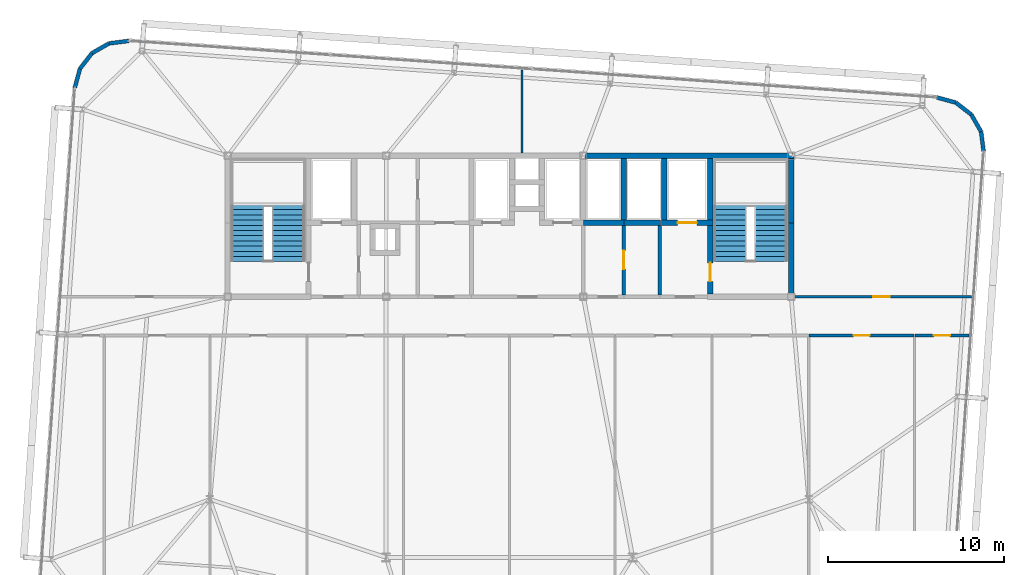
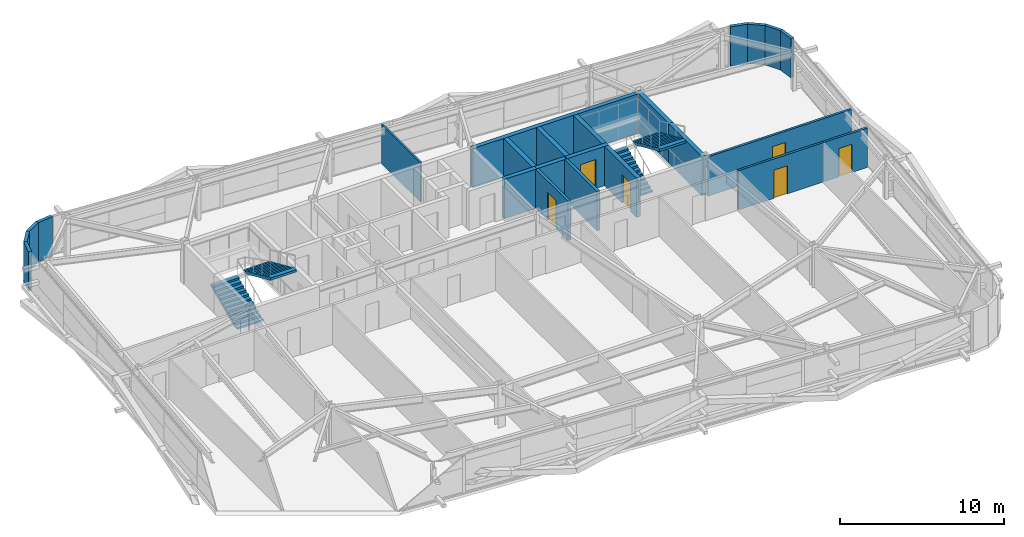
# One storey, part 37 of 39: 24 walls, 6 doors, 4 stair flights, 6 openings, 2 elements without a shape of their own.
"""IFC4 building model written with IfcOpenShell, lengths in metres."""

from ifc_helpers import new_model, si_unit, direction, frame, frame_2d, origin, place, context, subcontext, project, spatial, polyline, rectangle, outline, extrude, source, transform, mapped, material, layer, layer_set, type_object, element, fill, aggregate, save


model = new_model("IFC4")

# Units and contexts
model_context = context("Model", 3, precision=1e-05, world=origin(), true_north=direction((0.0, 1.0)))
body_context = subcontext(model_context, "Body", "Model", "MODEL_VIEW")
ifc_project = project(units=[si_unit("LENGTHUNIT", "METRE"), si_unit("AREAUNIT", "SQUARE_METRE"), si_unit("VOLUMEUNIT", "CUBIC_METRE"), si_unit("PLANEANGLEUNIT", "RADIAN"), si_unit("MASSUNIT", "GRAM", prefix="KILO")], contexts=[model_context])

# Site, building, storey
site_placement = place(None, origin())
site = spatial("IfcSite", under=ifc_project, at=site_placement, CompositionType="ELEMENT")
building_placement = place(site_placement, origin())
building = spatial("IfcBuilding", under=site, at=building_placement, Name="Taldren Reach Tower", CompositionType="ELEMENT")
storey_placement = place(building_placement, frame((0.0, 0.0, 120.39990234375)))
storey = spatial("IfcBuildingStorey", under=building, at=storey_placement, Name="L36", CompositionType="ELEMENT", Elevation=120.39990234375)

# Walls
ifc_material_1 = material(Name="Pale Champagne Anodised Aluminium Cladding", Category="aluminium")
ifc_layer_1 = layer(ifc_material_1, 0.04, Name="Pale Champagne Anodised Aluminium Cladding", Category="aluminium")
ifc_material_2 = material(Name="Mineral Wool Acoustic Insulation", Category="insulation")
ifc_layer_2 = layer(ifc_material_2, 0.06, Name="Mineral Wool Acoustic Insulation", Category="insulation")
ifc_material_3 = material(Name="Steel Gr 350 (C350L0)", Category="steel")
ifc_layer_3 = layer(ifc_material_3, 0.12, Name="Steel Gr 350 (C350L0)", Category="steel")
ifc_layer_set_1 = layer_set([ifc_layer_1, ifc_layer_2, ifc_layer_3], Name="Pale Champagne Aluminium Cladding and Steel Gr 350 Stud Framing")
wall_type_1 = type_object("IfcWallType", Name="EW-CRN-220", PredefinedType="SOLIDWALL", material=ifc_layer_set_1)
shared_shape_1 = source(origin(), body_context, "Body", "SweptSolid", [
    extrude(rectangle(XDim=1.115966796875, YDim=0.219970703125, at=frame_2d((0.55810546875, 0.0))), origin(), (0.0, 0.0, 1.0), 2.93017578125),
])
for number, where, z_axis, x_axis, name in (
    (1, (61.923583984375, 32.261962890625, 0.0), (0.0, 0.0, 1.0), (-0.126242535829, 0.991999406324, 0.0), "Rounded-corner pale-metal facade wall L36-NE1"),
    (2, (61.78271484375, 33.368896484375, 0.0), (0.0, 0.0, 1.0), (-0.496138938357, 0.868243142124, 0.0), "Rounded-corner pale-metal facade wall L36-NE2"),
    (3, (61.22900390625, 34.337890625, 0.0), (0.0, 0.0, 1.0), (-0.790716874741, 0.612182018684, 0.0), "Rounded-corner pale-metal facade wall L36-NE3"),
    (4, (60.3466796875, 35.02099609375, 0.0), (0.0, 0.0, 1.0), (-0.964804199372, 0.262969307856, 0.0), "Rounded-corner pale-metal facade wall L36-NE4"),
    (5, (13.382080078125, 38.5234375, 0.0), (0.0, 0.0, 1.0), (-0.991999406324, -0.126242535829, 0.0), "Rounded-corner pale-metal facade wall L36-NW1"),
    (6, (11.306396484375, 37.828857421875, 0.0), (0.0, 0.0, 1.0), (-0.612318787668, -0.790610967714, 0.0), "Rounded-corner pale-metal facade wall L36-NW3"),
    (7, (10.623046875, 36.946533203125, 0.0), (0.0, 0.0, 1.0), (-0.262969307856, -0.964804199372, 0.0), "Rounded-corner pale-metal facade wall L36-NW4"),
):
    element("IfcWall", number, at=place(storey_placement, frame(where, z_axis=z_axis, x_axis=x_axis)), inside=storey, type_object=wall_type_1, Name=name, PredefinedType="SOLIDWALL", context=body_context, shape_type="MappedRepresentation", body=[
        mapped(shared_shape_1, transform((0.0, 0.0, 0.0), scale=1.0)),
    ])
shared_shape_2 = source(origin(), body_context, "Body", "SweptSolid", [
    extrude(rectangle(XDim=1.11572265625, YDim=0.219970703125, at=frame_2d((0.557861328125, 0.0))), origin(), (0.0, 0.0, 1.0), 2.93017578125),
])
wall_1_placement = place(storey_placement, frame((12.275146484375, 38.382568359375, 0.0), z_axis=(0.0, 0.0, 1.0), x_axis=(-0.868189279113, -0.496233186751, 0.0)))
element("IfcWall", 8, at=wall_1_placement, inside=storey, type_object=wall_type_1, Name="Rounded-corner pale-metal facade wall L36-NW2", PredefinedType="SOLIDWALL", context=body_context, shape_type="MappedRepresentation", body=[
    mapped(shared_shape_2, transform((0.0, 0.0, 0.0), scale=1.0)),
])

# Wall, opening, door
ifc_material_4 = material(Name="Fire-Rated Acoustic Plasterboard Stud Wall", Category="gypsum")
ifc_layer_4 = layer(ifc_material_4, 0.159912109375)
ifc_layer_set_2 = layer_set([ifc_layer_4], Name="Fire-Rated Acoustic Plasterboard Stud Wall")
wall_type_2 = type_object("IfcWallType", Name="IW-FIRE-160", PredefinedType="PARTITIONING", material=ifc_layer_set_2)
shared_shape_3 = source(origin(), body_context, "Body", "SweptSolid", [
    extrude(rectangle(XDim=5.95947265625, YDim=0.159912109375, at=frame_2d((2.979736328125, 0.0))), origin(), (0.0, 0.0, 1.0), 2.93017578125),
])
wall_2_placement = place(storey_placement, frame((57.979736328125, 21.800048828125, 0.0), z_axis=(0.0, 0.0, 1.0), x_axis=(-1.0, 0.0, 0.0)))
wall_2 = element("IfcWall", 9, at=wall_2_placement, inside=storey, type_object=wall_type_2, Name="Interior Partition Wall W-INT-L36-054", PredefinedType="PARTITIONING", context=body_context, shape_type="MappedRepresentation", body=[
    mapped(shared_shape_3, transform((0.0, 0.0, 0.0), scale=1.0)),
])
shared_shape_4 = source(origin(), body_context, "Body", "SweptSolid", [
    extrude(rectangle(XDim=0.919921875, YDim=2.10009765625, at=frame_2d((0.4599609375, 1.050048828125))), frame((0.0, 0.08984375, 0.0), z_axis=(0.0, -1.0, 0.0), x_axis=(1.0, 0.0, 0.0)), (0.0, 0.0, 1.0), 0.179931640625),
])
opening_1_placement = place(wall_2_placement, frame((2.519775390625, 0.0, 0.0)))
opening_1 = element("IfcOpeningElement", 10, at=opening_1_placement, cuts=wall_2, Name="Opening DI-092", PredefinedType="OPENING", context=body_context, shape_type="MappedRepresentation", body=[
    mapped(shared_shape_4, transform((0.0, 0.0, 0.0), scale=1.0)),
])
ifc_material_5 = material(Name="Solid-Core Timber Suite Door", Category="wood")
door_type_1 = type_object("IfcDoorType", Name="ID-INT-092", OperationType="NOTDEFINED", PredefinedType="DOOR", material=ifc_material_5)
shared_shape_5 = source(origin(), body_context, "Body", "SweptSolid", [
    extrude(rectangle(XDim=0.919921875, YDim=2.10009765625, at=frame_2d((0.4599609375, 1.050048828125))), frame((0.0, 0.02490234375, 0.0), z_axis=(0.0, -1.0, 0.0), x_axis=(1.0, 0.0, 0.0)), (0.0, 0.0, 1.0), 0.050048828125),
])
door_1_placement = place(opening_1_placement, origin())
door_1 = element("IfcDoor", 11, at=door_1_placement, inside=storey, type_object=door_type_1, Name="Interior Door DR-L36-019", OperationType="SINGLE_SWING_RIGHT", OverallHeight=2.10009765625, OverallWidth=0.919921875, PredefinedType="DOOR", context=body_context, shape_type="MappedRepresentation", body=[
    mapped(shared_shape_5, transform((0.0, 0.0, 0.0), scale=1.0)),
])
fill(opening_1, door_1)

# Walls
ifc_material_6 = material(Name="Concrete S65 (65 MPa)", Category="concrete")
ifc_layer_5 = layer(ifc_material_6, 0.300048828125)
ifc_layer_set_3 = layer_set([ifc_layer_5], Name="Concrete S65 (65 MPa)")
wall_type_3 = type_object("IfcWallType", Name="IW-CORE-300", PredefinedType="SHEAR", material=ifc_layer_set_3)
shared_shape_6 = source(origin(), body_context, "Body", "SweptSolid", [
    extrude(rectangle(XDim=11.949951171875, YDim=0.300048828125, at=frame_2d((5.97509765625, 0.0))), origin(), (0.0, 0.0, 1.0), 2.93017578125),
])
wall_3_placement = place(storey_placement, frame((39.199951171875, 32.0, 0.0), z_axis=(0.0, 0.0, 1.0), x_axis=(1.0, 0.0, 0.0)))
element("IfcWall", 12, at=wall_3_placement, inside=storey, type_object=wall_type_3, Name="Rear Core Shear Wall W-CORE-L36-NORTH3", PredefinedType="SHEAR", context=body_context, shape_type="MappedRepresentation", body=[
    mapped(shared_shape_6, transform((0.0, 0.0, 0.0), scale=1.0)),
])
shared_shape_7 = source(origin(), body_context, "Body", "SweptSolid", [
    extrude(rectangle(XDim=4.050048828125, YDim=0.300048828125, at=frame_2d((2.02490234375, 0.0))), origin(), (0.0, 0.0, 1.0), 2.93017578125),
])
wall_4_placement = place(storey_placement, frame((51.0, 24.14990234375, 0.0), z_axis=(0.0, 0.0, 1.0), x_axis=(0.0, 1.0, 0.0)))
element("IfcWall", 13, at=wall_4_placement, inside=storey, type_object=wall_type_3, Name="Rear Core Shear Wall W-CORE-L36-EAST1", PredefinedType="SHEAR", context=body_context, shape_type="MappedRepresentation", body=[
    mapped(shared_shape_7, transform((0.0, 0.0, 0.0), scale=1.0)),
])
shared_shape_8 = source(origin(), body_context, "Body", "SweptSolid", [
    extrude(rectangle(XDim=3.650146484375, YDim=0.300048828125, at=frame_2d((1.8251953125, 0.0))), origin(), (0.0, 0.0, 1.0), 2.93017578125),
])
wall_5_placement = place(storey_placement, frame((51.0, 28.199951171875, 0.0), z_axis=(0.0, 0.0, 1.0), x_axis=(0.0, 1.0, 0.0)))
element("IfcWall", 14, at=wall_5_placement, inside=storey, type_object=wall_type_3, Name="Rear Core Shear Wall W-CORE-L36-EAST2", PredefinedType="SHEAR", context=body_context, shape_type="MappedRepresentation", body=[
    mapped(shared_shape_8, transform((0.0, 0.0, 0.0), scale=1.0)),
])
shared_shape_9 = source(origin(), body_context, "Body", "SweptSolid", [
    extrude(rectangle(XDim=3.5, YDim=0.300048828125, at=frame_2d((1.75, 0.0))), origin(), (0.0, 0.0, 1.0), 2.93017578125),
])
for number, where, z_axis, x_axis, name in (
    (15, (46.39990234375, 31.85009765625, 0.0), (0.0, 0.0, 1.0), (0.0, -1.0, 0.0), "Rear Core Shear Wall W-INT-L36-008"),
    (16, (43.800048828125, 31.85009765625, 0.0), (0.0, 0.0, 1.0), (0.0, -1.0, 0.0), "Rear Core Shear Wall W-INT-L36-012"),
    (17, (41.5, 28.35009765625, 0.0), (0.0, 0.0, 1.0), (0.0, 1.0, 0.0), "Rear Core Shear Wall W-INT-L36-034"),
):
    element("IfcWall", number, at=place(storey_placement, frame(where, z_axis=z_axis, x_axis=x_axis)), inside=storey, type_object=wall_type_3, Name=name, PredefinedType="SHEAR", context=body_context, shape_type="MappedRepresentation", body=[
        mapped(shared_shape_9, transform((0.0, 0.0, 0.0), scale=1.0)),
    ])

# Wall, opening, door
shared_shape_10 = source(origin(), body_context, "Body", "SweptSolid", [
    extrude(rectangle(XDim=3.900146484375, YDim=0.300048828125, at=frame_2d((1.9501953125, 0.0))), origin(), (0.0, 0.0, 1.0), 2.93017578125),
])
wall_6_placement = place(storey_placement, frame((46.39990234375, 28.050048828125, 0.0), z_axis=(0.0, 0.0, 1.0), x_axis=(0.0, -1.0, 0.0)))
wall_6 = element("IfcWall", 18, at=wall_6_placement, inside=storey, type_object=wall_type_3, Name="Rear Core Shear Wall W-INT-L36-009", PredefinedType="SHEAR", context=body_context, shape_type="MappedRepresentation", body=[
    mapped(shared_shape_10, transform((0.0, 0.0, 0.0), scale=1.0)),
])
shared_shape_11 = source(origin(), body_context, "Body", "SweptSolid", [
    extrude(rectangle(XDim=1.050048828125, YDim=2.10009765625, at=frame_2d((0.52490234375, 1.050048828125))), frame((0.0, 0.16015625, 0.0), z_axis=(0.0, -1.0, 0.0), x_axis=(1.0, 0.0, 0.0)), (0.0, 0.0, 1.0), 0.320068359375),
])
opening_2_placement = place(wall_6_placement, frame((2.125, 0.0, 0.0)))
opening_2 = element("IfcOpeningElement", 19, at=opening_2_placement, cuts=wall_6, Name="Opening DF-105", PredefinedType="OPENING", context=body_context, shape_type="MappedRepresentation", body=[
    mapped(shared_shape_11, transform((0.0, 0.0, 0.0), scale=1.0)),
])
ifc_material_7 = material(Name="Fire-Rated Care and Stair Exit Door")
door_type_2 = type_object("IfcDoorType", Name="ID-FIRE-105", OperationType="NOTDEFINED", PredefinedType="DOOR", material=ifc_material_7)
shared_shape_12 = source(origin(), body_context, "Body", "SweptSolid", [
    extrude(rectangle(XDim=1.050048828125, YDim=2.10009765625, at=frame_2d((0.52490234375, 1.050048828125))), frame((0.0, 0.02490234375, 0.0), z_axis=(0.0, -1.0, 0.0), x_axis=(1.0, 0.0, 0.0)), (0.0, 0.0, 1.0), 0.050048828125),
])
door_2_placement = place(opening_2_placement, origin())
door_2 = element("IfcDoor", 20, at=door_2_placement, inside=storey, type_object=door_type_2, Name="Fire Exit Stair Door DR-L36-003", OperationType="SINGLE_SWING_RIGHT", OverallHeight=2.10009765625, OverallWidth=1.050048828125, PredefinedType="DOOR", context=body_context, shape_type="MappedRepresentation", body=[
    mapped(shared_shape_12, transform((0.0, 0.0, 0.0), scale=1.0)),
])
fill(opening_2, door_2)

shared_shape_13 = source(origin(), body_context, "Body", "SweptSolid", [
    extrude(rectangle(XDim=2.900146484375, YDim=0.300048828125, at=frame_2d((1.4501953125, 0.0))), origin(), (0.0, 0.0, 1.0), 2.93017578125),
])
wall_7_placement = place(storey_placement, frame((43.64990234375, 28.199951171875, 0.0), z_axis=(0.0, 0.0, 1.0), x_axis=(1.0, 0.0, 0.0)))
wall_7 = element("IfcWall", 21, at=wall_7_placement, inside=storey, type_object=wall_type_3, Name="Rear Core Shear Wall W-INT-L36-011", PredefinedType="SHEAR", context=body_context, shape_type="MappedRepresentation", body=[
    mapped(shared_shape_13, transform((0.0, 0.0, 0.0), scale=1.0)),
])
shared_shape_14 = source(origin(), body_context, "Body", "SweptSolid", [
    extrude(rectangle(XDim=1.10009765625, YDim=2.14990234375, at=frame_2d((0.550048828125, 1.074951171875))), frame((0.0, 0.16015625, 0.0), z_axis=(0.0, -1.0, 0.0), x_axis=(1.0, 0.0, 0.0)), (0.0, 0.0, 1.0), 0.320068359375),
])
opening_3_placement = place(wall_7_placement, frame((0.89990234375, 0.0, 0.0)))
opening_3 = element("IfcOpeningElement", 22, at=opening_3_placement, cuts=wall_7, Name="Opening LD-FL2", PredefinedType="OPENING", context=body_context, shape_type="MappedRepresentation", body=[
    mapped(shared_shape_14, transform((0.0, 0.0, 0.0), scale=1.0)),
])
ifc_material_8 = material(Name="Stainless Steel Gr 316 Emergency Lift Landing Door", Category="steel")
door_type_3 = type_object("IfcDoorType", Name="LD-EMG-110", OperationType="SLIDING_TO_LEFT", PredefinedType="DOOR", material=ifc_material_8)
shared_shape_15 = source(origin(), body_context, "Body", "SweptSolid", [
    extrude(rectangle(XDim=1.10009765625, YDim=2.14990234375, at=frame_2d((0.550048828125, 1.074951171875))), frame((0.0, 0.02490234375, 0.0), z_axis=(0.0, -1.0, 0.0), x_axis=(1.0, 0.0, 0.0)), (0.0, 0.0, 1.0), 0.050048828125),
])
door_3_placement = place(opening_3_placement, origin())
door_3 = element("IfcDoor", 23, at=door_3_placement, inside=storey, type_object=door_type_3, Name="Lift Landing Door LD-FL2-L36", OperationType="SLIDING_TO_LEFT", OverallHeight=2.14990234375, OverallWidth=1.10009765625, PredefinedType="DOOR", context=body_context, shape_type="MappedRepresentation", body=[
    mapped(shared_shape_15, transform((0.0, 0.0, 0.0), scale=1.0)),
])
fill(opening_3, door_3)

# Wall
ifc_material_9 = material(Name="Concrete S50 (50 MPa)", Category="concrete")
ifc_layer_6 = layer(ifc_material_9, 0.199951171875)
ifc_layer_set_4 = layer_set([ifc_layer_6], Name="Concrete S50 (50 MPa)")
wall_type_4 = type_object("IfcWallType", Name="IW-CORE-200", PredefinedType="SOLIDWALL", material=ifc_layer_set_4)
shared_shape_16 = source(origin(), body_context, "Body", "SweptSolid", [
    extrude(rectangle(XDim=3.949951171875, YDim=0.199951171875, at=frame_2d((1.97509765625, 0.0))), origin(), (0.0, 0.0, 1.0), 2.93017578125),
])
wall_8_placement = place(storey_placement, frame((43.550048828125, 28.050048828125, 0.0), z_axis=(0.0, 0.0, 1.0), x_axis=(0.0, -1.0, 0.0)))
element("IfcWall", 24, at=wall_8_placement, inside=storey, type_object=wall_type_4, Name="Rear Core Shear Wall W-INT-L36-013", PredefinedType="SOLIDWALL", context=body_context, shape_type="MappedRepresentation", body=[
    mapped(shared_shape_16, transform((0.0, 0.0, 0.0), scale=1.0)),
])

# Wall, opening, door
wall_9_placement = place(storey_placement, frame((41.5, 28.050048828125, 0.0), z_axis=(0.0, 0.0, 1.0), x_axis=(0.0, -1.0, 0.0)))
wall_9 = element("IfcWall", 25, at=wall_9_placement, inside=storey, type_object=wall_type_4, Name="Rear Core Shear Wall W-INT-L36-043", PredefinedType="SOLIDWALL", context=body_context, shape_type="MappedRepresentation", body=[
    mapped(shared_shape_16, transform((0.0, 0.0, 0.0), scale=1.0)),
])
shared_shape_17 = source(origin(), body_context, "Body", "SweptSolid", [
    extrude(rectangle(XDim=1.050048828125, YDim=2.10009765625, at=frame_2d((0.52490234375, 1.050048828125))), frame((0.0, 0.10986328125, 0.0), z_axis=(0.0, -1.0, 0.0), x_axis=(1.0, 0.0, 0.0)), (0.0, 0.0, 1.0), 0.219970703125),
])
opening_4_placement = place(wall_9_placement, frame((1.425048828125, 0.0, 0.0)))
opening_4 = element("IfcOpeningElement", 26, at=opening_4_placement, cuts=wall_9, Name="Opening DF-105", PredefinedType="OPENING", context=body_context, shape_type="MappedRepresentation", body=[
    mapped(shared_shape_17, transform((0.0, 0.0, 0.0), scale=1.0)),
])
door_4_placement = place(opening_4_placement, frame((1.050048828125, 0.0, 0.0), z_axis=(0.0, 0.0, 1.0), x_axis=(-1.0, 0.0, 0.0)))
door_4 = element("IfcDoor", 27, at=door_4_placement, inside=storey, type_object=door_type_2, Name="Interior Door DR-L36-009", OperationType="SINGLE_SWING_LEFT", OverallHeight=2.10009765625, OverallWidth=1.050048828125, PredefinedType="DOOR", context=body_context, shape_type="MappedRepresentation", body=[
    mapped(shared_shape_12, transform((0.0, 0.0, 0.0), scale=1.0)),
])
fill(opening_4, door_4)

# Walls
shared_shape_18 = source(origin(), body_context, "Body", "SweptSolid", [
    extrude(rectangle(XDim=2.070068359375, YDim=0.300048828125, at=frame_2d((1.03515625, 0.0))), origin(), (0.0, 0.0, 1.0), 2.93017578125),
])
wall_10_placement = place(storey_placement, frame((41.5, 28.199951171875, 0.0), z_axis=(0.0, 0.0, 1.0), x_axis=(1.0, 0.0, 0.0)))
element("IfcWall", 28, at=wall_10_placement, inside=storey, type_object=wall_type_3, Name="Rear Core Shear Wall W-INT-L36-036", PredefinedType="SHEAR", context=body_context, shape_type="MappedRepresentation", body=[
    mapped(shared_shape_18, transform((0.0, 0.0, 0.0), scale=1.0)),
])
shared_shape_19 = source(origin(), body_context, "Body", "SweptSolid", [
    extrude(rectangle(XDim=2.300048828125, YDim=0.300048828125, at=frame_2d((1.14990234375, 0.0))), origin(), (0.0, 0.0, 1.0), 2.93017578125),
])
wall_11_placement = place(storey_placement, frame((39.199951171875, 28.199951171875, 0.0), z_axis=(0.0, 0.0, 1.0), x_axis=(1.0, 0.0, 0.0)))
element("IfcWall", 29, at=wall_11_placement, inside=storey, type_object=wall_type_3, Name="Rear Core Shear Wall W-INT-L36-035", PredefinedType="SHEAR", context=body_context, shape_type="MappedRepresentation", body=[
    mapped(shared_shape_19, transform((0.0, 0.0, 0.0), scale=1.0)),
])

# Wall, opening, door
shared_shape_20 = source(origin(), body_context, "Body", "SweptSolid", [
    extrude(rectangle(XDim=3.087158203125, YDim=0.159912109375, at=frame_2d((1.54345703125, 0.0))), origin(), (0.0, 0.0, 1.0), 2.93017578125),
])
wall_12_placement = place(storey_placement, frame((61.107421875, 21.800048828125, 0.0), z_axis=(0.0, 0.0, 1.0), x_axis=(-1.0, 0.0, 0.0)))
wall_12 = element("IfcWall", 30, at=wall_12_placement, inside=storey, type_object=wall_type_2, Name="Interior Partition Wall W-INT-L36-055", PredefinedType="PARTITIONING", context=body_context, shape_type="MappedRepresentation", body=[
    mapped(shared_shape_20, transform((0.0, 0.0, 0.0), scale=1.0)),
])
opening_5_placement = place(wall_12_placement, frame((1.08349609375, 0.0, 0.0)))
opening_5 = element("IfcOpeningElement", 31, at=opening_5_placement, cuts=wall_12, Name="Opening DI-092", PredefinedType="OPENING", context=body_context, shape_type="MappedRepresentation", body=[
    mapped(shared_shape_4, transform((0.0, 0.0, 0.0), scale=1.0)),
])
door_5_placement = place(opening_5_placement, origin())
door_5 = element("IfcDoor", 32, at=door_5_placement, inside=storey, type_object=door_type_1, Name="Interior Door DR-L36-020", OperationType="SINGLE_SWING_LEFT", OverallHeight=2.10009765625, OverallWidth=0.919921875, PredefinedType="DOOR", context=body_context, shape_type="MappedRepresentation", body=[
    mapped(shared_shape_5, transform((0.0, 0.0, 0.0), scale=1.0)),
])
fill(opening_5, door_5)

shared_shape_21 = source(origin(), body_context, "Body", "SweptSolid", [
    extrude(rectangle(XDim=10.10009765625, YDim=0.159912109375, at=frame_2d((5.050048828125, 0.0))), origin(), (0.0, 0.0, 1.0), 2.93017578125),
])
wall_13_placement = place(storey_placement, frame((51.14990234375, 24.0, 0.0), z_axis=(0.0, 0.0, 1.0), x_axis=(1.0, 0.0, 0.0)))
wall_13 = element("IfcWall", 33, at=wall_13_placement, inside=storey, type_object=wall_type_2, Name="Interior Partition Wall W-INT-L36-057", PredefinedType="PARTITIONING", context=body_context, shape_type="MappedRepresentation", body=[
    mapped(shared_shape_21, transform((0.0, 0.0, 0.0), scale=1.0)),
])
opening_6_placement = place(wall_13_placement, frame((4.525146484375, 0.0, 0.0)))
opening_6 = element("IfcOpeningElement", 34, at=opening_6_placement, cuts=wall_13, Name="Opening DI-092", PredefinedType="OPENING", context=body_context, shape_type="MappedRepresentation", body=[
    mapped(shared_shape_4, transform((0.0, 0.0, 0.0), scale=1.0)),
])
door_6_placement = place(opening_6_placement, origin())
door_6 = element("IfcDoor", 35, at=door_6_placement, inside=storey, type_object=door_type_1, Name="Interior Door DR-L36-022", OperationType="SINGLE_SWING_LEFT", OverallHeight=2.10009765625, OverallWidth=0.919921875, PredefinedType="DOOR", context=body_context, shape_type="MappedRepresentation", body=[
    mapped(shared_shape_5, transform((0.0, 0.0, 0.0), scale=1.0)),
])
fill(opening_6, door_6)

# Wall
ifc_material_10 = material(Name="Insulated Residential Stud Partition", Category="gypsum")
ifc_layer_7 = layer(ifc_material_10, 0.1201171875)
ifc_layer_set_5 = layer_set([ifc_layer_7], Name="Insulated Residential Stud Partition")
wall_type_5 = type_object("IfcWallType", Name="IW-PART-120", PredefinedType="PARTITIONING", material=ifc_layer_set_5)
shared_shape_22 = source(origin(), body_context, "Body", "SweptSolid", [
    extrude(rectangle(XDim=4.727294921875, YDim=0.1201171875, at=frame_2d((2.36376953125, 0.0))), origin(), (0.0, 0.0, 1.0), 2.93017578125),
])
wall_14_placement = place(storey_placement, frame((35.711181640625, 36.877197265625, 0.0), z_axis=(0.0, 0.0, 1.0), x_axis=(0.0, -1.0, 0.0)))
element("IfcWall", 36, at=wall_14_placement, inside=storey, type_object=wall_type_5, Name="Interior Partition Wall W-INT-L36-067", PredefinedType="PARTITIONING", context=body_context, shape_type="MappedRepresentation", body=[
    mapped(shared_shape_22, transform((0.0, 0.0, 0.0), scale=1.0)),
])

# Stair, stair flights
stair_type = type_object("IfcStairType", Name="ST-HT-315", PredefinedType="HALF_TURN_STAIR", material=ifc_material_9)
stair_1_placement = place(storey_placement, origin())
stair_1 = element("IfcStair", 37, at=stair_1_placement, inside=storey, type_object=stair_type, Name="Fire-isolated exit stair ST1 L36", PredefinedType="HALF_TURN_STAIR")
stair_flight_type = type_object("IfcStairFlightType", Name="SF-STR-315", PredefinedType="STRAIGHT", material=ifc_material_9)
stair_flight_1_placement = place(storey_placement, frame((20.139892578125, 25.989990234375, 0.0), z_axis=(0.0, 0.0, 1.0), x_axis=(0.0, 1.0, 0.0)))
stair_flight_1 = element("IfcStairFlight", 38, at=stair_flight_1_placement, type_object=stair_flight_type, Name="ST1 flight 1", NumberOfRisers=12, NumberOfTreads=11, PredefinedType="STRAIGHT", RiserHeight=0.13125, TreadLength=0.295, context=body_context, shape_type="SweptSolid", body=[
    extrude(outline(polyline([(0.0, 0.0), (0.0, 0.13134765625), (0.294921875, 0.13134765625), (0.294921875, 0.262451171875), (0.590087890625, 0.262451171875), (0.590087890625, 0.393798828125), (0.885009765625, 0.393798828125), (0.885009765625, 0.52490234375), (1.179931640625, 0.52490234375), (1.179931640625, 0.65625), (1.47509765625, 0.65625), (1.47509765625, 0.78759765625), (1.77001953125, 0.78759765625), (1.77001953125, 0.918701171875), (2.06494140625, 0.918701171875), (2.06494140625, 1.050048828125), (2.360107421875, 1.050048828125), (2.360107421875, 1.18115234375), (2.655029296875, 1.18115234375), (2.655029296875, 1.3125), (2.949951171875, 1.3125), (2.949951171875, 1.44384765625), (3.2451171875, 1.44384765625), (3.2451171875, 1.574951171875), (3.2451171875, 1.268798828125), (0.393310546875, 0.0), (0.0, 0.0)])), frame((0.0, 0.919921875, 0.0), z_axis=(0.0, -1.0, 0.0), x_axis=(1.0, 0.0, 0.0)), (0.0, 0.0, 1.0), 1.840087890625),
])
stair_flight_2_placement = place(storey_placement, frame((22.4599609375, 29.235107421875, 1.5751953125), z_axis=(0.0, 0.0, 1.0), x_axis=(0.0, -1.0, 0.0)))
stair_flight_2 = element("IfcStairFlight", 39, at=stair_flight_2_placement, type_object=stair_flight_type, Name="ST1 flight 2", NumberOfRisers=12, NumberOfTreads=11, PredefinedType="STRAIGHT", RiserHeight=0.13125, TreadLength=0.295, context=body_context, shape_type="SweptSolid", body=[
    extrude(outline(polyline([(0.0, 0.0), (0.0, 0.13134765625), (0.294921875, 0.13134765625), (0.294921875, 0.262451171875), (0.590087890625, 0.262451171875), (0.590087890625, 0.393798828125), (0.885009765625, 0.393798828125), (0.885009765625, 0.52490234375), (1.179931640625, 0.52490234375), (1.179931640625, 0.65625), (1.47509765625, 0.65625), (1.47509765625, 0.78759765625), (1.77001953125, 0.78759765625), (1.77001953125, 0.918701171875), (2.06494140625, 0.918701171875), (2.06494140625, 1.050048828125), (2.360107421875, 1.050048828125), (2.360107421875, 1.18115234375), (2.655029296875, 1.18115234375), (2.655029296875, 1.3125), (2.949951171875, 1.3125), (2.949951171875, 1.44384765625), (3.2451171875, 1.44384765625), (3.2451171875, 1.574951171875), (3.2451171875, 1.268798828125), (0.393310546875, 0.0), (0.0, 0.0)])), frame((0.0, 0.919921875, 0.0), z_axis=(0.0, -1.0, 0.0), x_axis=(1.0, 0.0, 0.0)), (0.0, 0.0, 1.0), 1.840087890625),
])
aggregate(stair_1, [stair_flight_1, stair_flight_2])

stair_2_placement = place(storey_placement, origin())
stair_2 = element("IfcStair", 40, at=stair_2_placement, inside=storey, type_object=stair_type, Name="Fire-isolated exit stair ST2 L36", PredefinedType="HALF_TURN_STAIR")
stair_flight_3_placement = place(storey_placement, frame((47.5400390625, 25.989990234375, 0.0), z_axis=(0.0, 0.0, 1.0), x_axis=(0.0, 1.0, 0.0)))
stair_flight_3 = element("IfcStairFlight", 41, at=stair_flight_3_placement, type_object=stair_flight_type, Name="ST2 flight 1", NumberOfRisers=12, NumberOfTreads=11, PredefinedType="STRAIGHT", RiserHeight=0.13125, TreadLength=0.295, context=body_context, shape_type="SweptSolid", body=[
    extrude(outline(polyline([(0.0, 0.0), (0.0, 0.13134765625), (0.294921875, 0.13134765625), (0.294921875, 0.262451171875), (0.590087890625, 0.262451171875), (0.590087890625, 0.393798828125), (0.885009765625, 0.393798828125), (0.885009765625, 0.52490234375), (1.179931640625, 0.52490234375), (1.179931640625, 0.65625), (1.47509765625, 0.65625), (1.47509765625, 0.78759765625), (1.77001953125, 0.78759765625), (1.77001953125, 0.918701171875), (2.06494140625, 0.918701171875), (2.06494140625, 1.050048828125), (2.360107421875, 1.050048828125), (2.360107421875, 1.18115234375), (2.655029296875, 1.18115234375), (2.655029296875, 1.3125), (2.949951171875, 1.3125), (2.949951171875, 1.44384765625), (3.2451171875, 1.44384765625), (3.2451171875, 1.574951171875), (3.2451171875, 1.268798828125), (0.393310546875, 0.0), (0.0, 0.0)])), frame((0.0, 0.919921875, 0.0), z_axis=(0.0, -1.0, 0.0), x_axis=(1.0, 0.0, 0.0)), (0.0, 0.0, 1.0), 1.840087890625),
])
stair_flight_4_placement = place(storey_placement, frame((49.860107421875, 29.235107421875, 1.5751953125), z_axis=(0.0, 0.0, 1.0), x_axis=(0.0, -1.0, 0.0)))
stair_flight_4 = element("IfcStairFlight", 42, at=stair_flight_4_placement, type_object=stair_flight_type, Name="ST2 flight 2", NumberOfRisers=12, NumberOfTreads=11, PredefinedType="STRAIGHT", RiserHeight=0.13125, TreadLength=0.295, context=body_context, shape_type="SweptSolid", body=[
    extrude(outline(polyline([(0.0, 0.0), (0.0, 0.13134765625), (0.294921875, 0.13134765625), (0.294921875, 0.262451171875), (0.590087890625, 0.262451171875), (0.590087890625, 0.393798828125), (0.885009765625, 0.393798828125), (0.885009765625, 0.52490234375), (1.179931640625, 0.52490234375), (1.179931640625, 0.65625), (1.47509765625, 0.65625), (1.47509765625, 0.78759765625), (1.77001953125, 0.78759765625), (1.77001953125, 0.918701171875), (2.06494140625, 0.918701171875), (2.06494140625, 1.050048828125), (2.360107421875, 1.050048828125), (2.360107421875, 1.18115234375), (2.655029296875, 1.18115234375), (2.655029296875, 1.3125), (2.949951171875, 1.3125), (2.949951171875, 1.44384765625), (3.2451171875, 1.44384765625), (3.2451171875, 1.574951171875), (3.2451171875, 1.268798828125), (0.393310546875, 0.0), (0.0, 0.0)])), frame((0.0, 0.919921875, 0.0), z_axis=(0.0, -1.0, 0.0), x_axis=(1.0, 0.0, 0.0)), (0.0, 0.0, 1.0), 1.840087890625),
])
aggregate(stair_2, [stair_flight_3, stair_flight_4])

save(model, "model.ifc")
